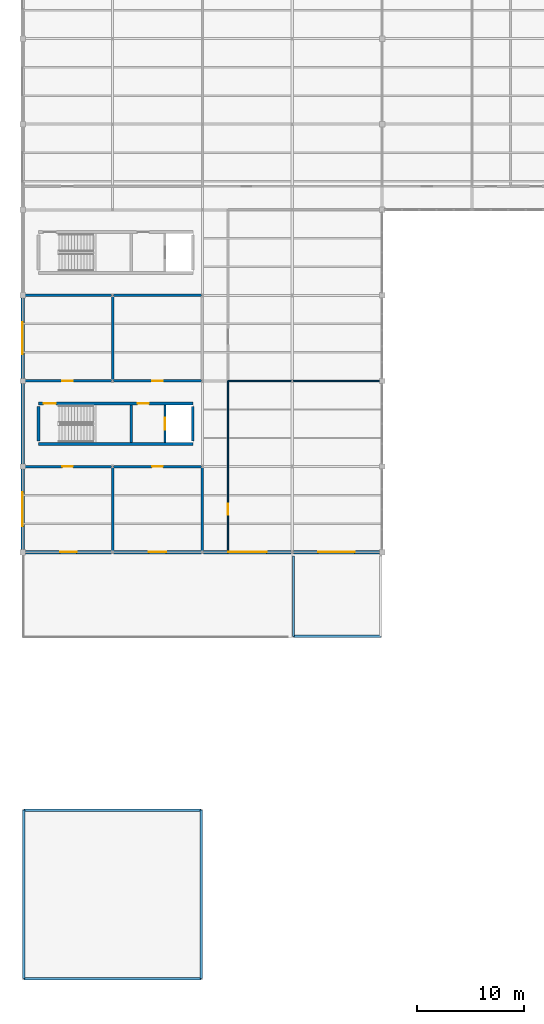
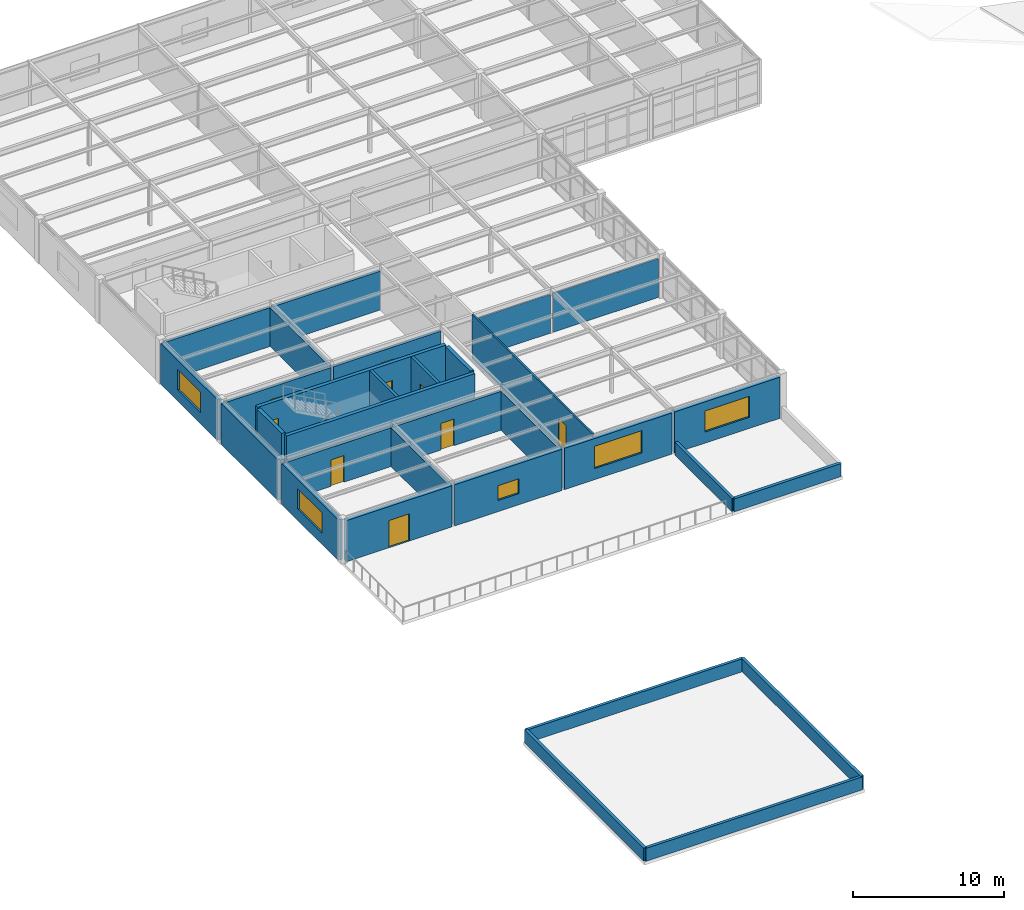
# One storey, part 23 of 32: 31 walls, 9 doors, 5 windows, 14 openings.
"""IFC4 building model written with IfcOpenShell, lengths in metres."""

from ifc_helpers import new_model, si_unit, direction, frame, frame_2d, origin, place, context, subcontext, project, spatial, rectangle, extrude, material, layer, layer_set, type_object, element, fill, save


model = new_model("IFC4")

# Units and contexts
model_context = context("Model", 3, precision=1e-05, world=origin(), true_north=direction((0.0, 1.0)))
body_context = subcontext(model_context, "Body", "Model", "MODEL_VIEW")
ifc_project = project(units=[si_unit("LENGTHUNIT", "METRE"), si_unit("AREAUNIT", "SQUARE_METRE"), si_unit("VOLUMEUNIT", "CUBIC_METRE"), si_unit("PLANEANGLEUNIT", "RADIAN"), si_unit("MASSUNIT", "GRAM", prefix="KILO")], contexts=[model_context])

# Site, building, storey
site_placement = place(None, origin())
site = spatial("IfcSite", under=ifc_project, at=site_placement, CompositionType="ELEMENT")
building_placement = place(site_placement, origin())
building = spatial("IfcBuilding", under=site, at=building_placement, Name="Kranzveld Transit Interchange", CompositionType="ELEMENT")
storey_placement = place(building_placement, frame((0.0, 0.0, 17.199951171875)))
storey = spatial("IfcBuildingStorey", under=building, at=storey_placement, Name="L04", CompositionType="ELEMENT", Elevation=17.199951171875)

# Wall
ifc_material_1 = material(Name="Concrete C40/50", Category="concrete")
ifc_layer_1 = layer(ifc_material_1, 0.27490234375)
ifc_layer_set_1 = layer_set([ifc_layer_1], Name="Concrete C40/50")
wall_type_1 = type_object("IfcWallType", Name="Core Upper Wall RC 275 C40/50", PredefinedType="SHEAR", material=ifc_layer_set_1)
wall_1_placement = place(storey_placement, frame((1.5, 66.090087890625, 0.0), z_axis=(0.0, 0.0, 1.0), x_axis=(1.0, 0.0, 0.0)))
element("IfcWall", 1, at=wall_1_placement, inside=storey, type_object=wall_type_1, Name="L04 Operations Core C1 Shear Wall S", PredefinedType="SHEAR", context=body_context, shape_type="SweptSolid", body=[
    extrude(rectangle(XDim=14.39990234375, YDim=0.27490234375, at=frame_2d((7.199951171875, 0.0))), origin(), (0.0, 0.0, 1.0), 3.590087890625),
])

# Wall, openings, doors
wall_2_placement = place(storey_placement, frame((1.5, 69.909912109375, 0.0), z_axis=(0.0, 0.0, 1.0), x_axis=(1.0, 0.0, 0.0)))
wall_2 = element("IfcWall", 2, at=wall_2_placement, inside=storey, type_object=wall_type_1, Name="L04 Operations Core C1 Shear Wall N", PredefinedType="SHEAR", context=body_context, shape_type="SweptSolid", body=[
    extrude(rectangle(XDim=14.39990234375, YDim=0.27490234375, at=frame_2d((7.199951171875, 0.0))), origin(), (0.0, 0.0, 1.0), 3.590087890625),
])
opening_1_placement = place(wall_2_placement, frame((0.449951171875, 0.0, 0.0), z_axis=(0.0, 0.0, 1.0), x_axis=(1.0, 0.0, 0.0)))
opening_1 = element("IfcOpeningElement", 3, at=opening_1_placement, cuts=wall_2, Name="Opening D-ST-C1-L04", PredefinedType="OPENING", context=body_context, shape_type="SweptSolid", body=[
    extrude(rectangle(XDim=1.14990234375, YDim=2.14990234375, at=frame_2d((0.574951171875, 1.074951171875))), frame((0.0, 0.1474609375, 0.0), z_axis=(0.0, -1.0, 0.0), x_axis=(1.0, 0.0, 0.0)), (0.0, 0.0, 1.0), 0.294921875),
])
opening_2_placement = place(wall_2_placement, frame((9.25, 0.0, 0.0), z_axis=(0.0, 0.0, 1.0), x_axis=(1.0, 0.0, 0.0)))
opening_2 = element("IfcOpeningElement", 4, at=opening_2_placement, cuts=wall_2, Name="Opening D-LB-C1-L04", PredefinedType="OPENING", context=body_context, shape_type="SweptSolid", body=[
    extrude(rectangle(XDim=1.050048828125, YDim=2.14990234375, at=frame_2d((0.52490234375, 1.074951171875))), frame((0.0, 0.1474609375, 0.0), z_axis=(0.0, -1.0, 0.0), x_axis=(1.0, 0.0, 0.0)), (0.0, 0.0, 1.0), 0.294921875),
])
ifc_material_2 = material(Name="Steel S355JR", Category="steel")
door_type_1 = type_object("IfcDoorType", Name="Lift Lobby Fire Door 1050x2150 FD120S", OperationType="NOTDEFINED", PredefinedType="DOOR", material=ifc_material_2)
door_1_placement = place(opening_2_placement, origin())
door_1 = element("IfcDoor", 5, at=door_1_placement, inside=storey, type_object=door_type_1, Name="L04 Operations Core C1 Lift Protected Lobby Door", OperationType="SINGLE_SWING_RIGHT", OverallHeight=2.14990234375, OverallWidth=1.050048828125, PredefinedType="DOOR", context=body_context, shape_type="SweptSolid", body=[
    extrude(rectangle(XDim=1.050048828125, YDim=2.14990234375, at=frame_2d((0.52490234375, 1.074951171875))), frame((0.0, 0.02490234375, 0.0), z_axis=(0.0, -1.0, 0.0), x_axis=(1.0, 0.0, 0.0)), (0.0, 0.0, 1.0), 0.050048828125),
])
fill(opening_2, door_1)
ifc_material_3 = material(Name="Steel S355JR", Category="steel")
door_type_2 = type_object("IfcDoorType", Name="Stair Core Fire Door 1150x2150 FD120S", OperationType="NOTDEFINED", PredefinedType="DOOR", material=ifc_material_3)
door_2_placement = place(opening_1_placement, origin())
door_2 = element("IfcDoor", 6, at=door_2_placement, inside=storey, type_object=door_type_2, Name="L04 ST-C1 Protected Stair Door", OperationType="SINGLE_SWING_RIGHT", OverallHeight=2.14990234375, OverallWidth=1.14990234375, PredefinedType="DOOR", context=body_context, shape_type="SweptSolid", body=[
    extrude(rectangle(XDim=1.14990234375, YDim=2.14990234375, at=frame_2d((0.574951171875, 1.074951171875))), frame((0.0, 0.02490234375, 0.0), z_axis=(0.0, -1.0, 0.0), x_axis=(1.0, 0.0, 0.0)), (0.0, 0.0, 1.0), 0.050048828125),
])
fill(opening_1, door_2)

# Walls
for number, where, z_axis, x_axis, name in (
    (7, (1.5, 66.364990234375, 0.0), (0.0, 0.0, 1.0), (0.0, 1.0, 0.0), "L04 Operations Core C1 Shear Wall W"),
    (8, (15.89990234375, 66.364990234375, 0.0), (0.0, 0.0, 1.0), (0.0, 1.0, 0.0), "L04 Operations Core C1 Shear Wall E"),
):
    element("IfcWall", number, at=place(storey_placement, frame(where, z_axis=z_axis, x_axis=x_axis)), inside=storey, type_object=wall_type_1, Name=name, PredefinedType="SHEAR", context=body_context, shape_type="SweptSolid", body=[
        extrude(rectangle(XDim=3.27001953125, YDim=0.27490234375, at=frame_2d((1.635009765625, 0.0))), origin(), (0.0, 0.0, 1.0), 3.590087890625),
    ])

# Wall, opening, door
ifc_material_4 = material(Name="Pretoria red-purple clinker clay face brick, 35 MPa", Category="masonry")
ifc_layer_2 = layer(ifc_material_4, 0.320068359375)
ifc_layer_set_2 = layer_set([ifc_layer_2], Name="Pretoria red-purple clinker clay face brick, 35 MPa")
wall_type_2 = type_object("IfcWallType", Name="Exterior Upper Wall Red Clinker 320", PredefinedType="SOLIDWALL", material=ifc_layer_set_2)
wall_3_placement = place(storey_placement, frame((0.25, 56.0, 0.0), z_axis=(0.0, 0.0, 1.0), x_axis=(1.0, 0.0, 0.0)))
wall_3 = element("IfcWall", 9, at=wall_3_placement, inside=storey, type_object=wall_type_2, Name="L04 Clinker Facade Wall 01/H-02/H", PredefinedType="SOLIDWALL", context=body_context, shape_type="SweptSolid", body=[
    extrude(rectangle(XDim=8.047119140625, YDim=0.320068359375, at=frame_2d((4.0234375, 0.0))), origin(), (0.0, 0.0, 1.0), 3.330078125),
])
opening_3_placement = place(wall_3_placement, frame((4.798583984375, 0.0, 0.0), z_axis=(0.0, 0.0, 1.0), x_axis=(-1.0, 0.0, 0.0)))
opening_3 = element("IfcOpeningElement", 10, at=opening_3_placement, cuts=wall_3, Name="Opening ED-L04-18", PredefinedType="OPENING", context=body_context, shape_type="SweptSolid", body=[
    extrude(rectangle(XDim=1.550048828125, YDim=2.199951171875, at=frame_2d((0.77490234375, 1.10009765625))), frame((0.0, 0.169921875, 0.0), z_axis=(0.0, -1.0, 0.0), x_axis=(1.0, 0.0, 0.0)), (0.0, 0.0, 1.0), 0.340087890625),
])
ifc_material_5 = material(Name="Bronze-anodised thermally broken aluminium", Category="aluminium")
door_type_3 = type_object("IfcDoorType", Name="Walkable Terrace Glazed Double Door 1550x2200", OperationType="NOTDEFINED", PredefinedType="DOOR", material=ifc_material_5)
door_3_placement = place(opening_3_placement, origin())
door_3 = element("IfcDoor", 11, at=door_3_placement, inside=storey, type_object=door_type_3, Name="L04 Terrace Door TERR_L04_V5S", OperationType="DOUBLE_DOOR_SINGLE_SWING", OverallHeight=2.199951171875, OverallWidth=1.550048828125, PredefinedType="DOOR", context=body_context, shape_type="SweptSolid", body=[
    extrude(rectangle(XDim=1.550048828125, YDim=2.199951171875, at=frame_2d((0.77490234375, 1.10009765625))), frame((0.0, 0.02490234375, 0.0), z_axis=(0.0, -1.0, 0.0), x_axis=(1.0, 0.0, 0.0)), (0.0, 0.0, 1.0), 0.050048828125),
])
fill(opening_3, door_3)

# Wall, opening, window
wall_4_placement = place(storey_placement, frame((8.5029296875, 56.0, 0.0), z_axis=(0.0, 0.0, 1.0), x_axis=(1.0, 0.0, 0.0)))
wall_4 = element("IfcWall", 12, at=wall_4_placement, inside=storey, type_object=wall_type_2, Name="L04 Clinker Facade Wall 02/H-03/H", PredefinedType="SOLIDWALL", context=body_context, shape_type="SweptSolid", body=[
    extrude(rectangle(XDim=8.194091796875, YDim=0.320068359375, at=frame_2d((4.09716796875, 0.0))), origin(), (0.0, 0.0, 1.0), 3.330078125),
])
opening_4_placement = place(wall_4_placement, frame((3.297119140625, 0.0, 0.89990234375), z_axis=(0.0, 0.0, 1.0), x_axis=(1.0, 0.0, 0.0)))
opening_4 = element("IfcOpeningElement", 13, at=opening_4_placement, cuts=wall_4, Name="Opening W-20", PredefinedType="OPENING", context=body_context, shape_type="SweptSolid", body=[
    extrude(rectangle(XDim=1.60009765625, YDim=1.199951171875, at=frame_2d((0.800048828125, 0.60009765625))), frame((0.0, 0.169921875, 0.0), z_axis=(0.0, -1.0, 0.0), x_axis=(1.0, 0.0, 0.0)), (0.0, 0.0, 1.0), 0.340087890625),
])
ifc_material_6 = material(Name="Solar-control double glazing", Category="glass")
window_type_1 = type_object("IfcWindowType", Name="Window Technical Glazed 1600x1200", PartitioningType="DOUBLE_PANEL_VERTICAL", PredefinedType="WINDOW", material=ifc_material_6)
window_1_placement = place(opening_4_placement, origin())
window_1 = element("IfcWindow", 14, at=window_1_placement, inside=storey, type_object=window_type_1, Name="L04 Facade Window 02/H", OverallHeight=1.199951171875, OverallWidth=1.60009765625, PartitioningType="DOUBLE_PANEL_VERTICAL", PredefinedType="WINDOW", context=body_context, shape_type="SweptSolid", body=[
    extrude(rectangle(XDim=1.60009765625, YDim=1.199951171875, at=frame_2d((0.800048828125, 0.60009765625))), frame((0.0, 0.030029296875, 0.0), z_axis=(0.0, -1.0, 0.0), x_axis=(1.0, 0.0, 0.0)), (0.0, 0.0, 1.0), 0.06005859375),
])
fill(opening_4, window_1)

wall_5_placement = place(storey_placement, frame((16.90283203125, 56.0, 0.0), z_axis=(0.0, 0.0, 1.0), x_axis=(1.0, 0.0, 0.0)))
wall_5 = element("IfcWall", 15, at=wall_5_placement, inside=storey, type_object=wall_type_2, Name="L04 Clinker Facade Wall 03/H-04/H", PredefinedType="SOLIDWALL", context=body_context, shape_type="SweptSolid", body=[
    extrude(rectangle(XDim=8.1943359375, YDim=0.320068359375, at=frame_2d((4.09716796875, 0.0))), origin(), (0.0, 0.0, 1.0), 3.330078125),
])
opening_5_placement = place(wall_5_placement, frame((2.297119140625, 0.0, 0.89990234375), z_axis=(0.0, 0.0, 1.0), x_axis=(1.0, 0.0, 0.0)))
opening_5 = element("IfcOpeningElement", 16, at=opening_5_placement, cuts=wall_5, Name="Opening W-01", PredefinedType="OPENING", context=body_context, shape_type="SweptSolid", body=[
    extrude(rectangle(XDim=3.60009765625, YDim=1.800048828125, at=frame_2d((1.800048828125, 0.89990234375))), frame((0.0, 0.169921875, 0.0), z_axis=(0.0, -1.0, 0.0), x_axis=(1.0, 0.0, 0.0)), (0.0, 0.0, 1.0), 0.340087890625),
])
ifc_material_7 = material(Name="Solar-control double glazing", Category="glass")
window_type_2 = type_object("IfcWindowType", Name="Window Ribbon Triple 3600x1800", PartitioningType="TRIPLE_PANEL_VERTICAL", PredefinedType="WINDOW", material=ifc_material_7)
window_2_placement = place(opening_5_placement, origin())
window_2 = element("IfcWindow", 17, at=window_2_placement, inside=storey, type_object=window_type_2, Name="L04 Facade Window 03/H", OverallHeight=1.800048828125, OverallWidth=3.60009765625, PartitioningType="TRIPLE_PANEL_VERTICAL", PredefinedType="WINDOW", context=body_context, shape_type="SweptSolid", body=[
    extrude(rectangle(XDim=3.60009765625, YDim=1.800048828125, at=frame_2d((1.800048828125, 0.89990234375))), frame((0.0, 0.030029296875, 0.0), z_axis=(0.0, -1.0, 0.0), x_axis=(1.0, 0.0, 0.0)), (0.0, 0.0, 1.0), 0.06005859375),
])
fill(opening_5, window_2)

wall_6_placement = place(storey_placement, frame((25.302978515625, 56.0, 0.0), z_axis=(0.0, 0.0, 1.0), x_axis=(1.0, 0.0, 0.0)))
wall_6 = element("IfcWall", 18, at=wall_6_placement, inside=storey, type_object=wall_type_2, Name="L04 Clinker Facade Wall 04/H-05/H", PredefinedType="SOLIDWALL", context=body_context, shape_type="SweptSolid", body=[
    extrude(rectangle(XDim=8.047119140625, YDim=0.320068359375, at=frame_2d((4.0234375, 0.0))), origin(), (0.0, 0.0, 1.0), 3.330078125),
])
opening_6_placement = place(wall_6_placement, frame((2.323486328125, 0.0, 0.89990234375), z_axis=(0.0, 0.0, 1.0), x_axis=(1.0, 0.0, 0.0)))
opening_6 = element("IfcOpeningElement", 19, at=opening_6_placement, cuts=wall_6, Name="Opening W-02", PredefinedType="OPENING", context=body_context, shape_type="SweptSolid", body=[
    extrude(rectangle(XDim=3.39990234375, YDim=1.699951171875, at=frame_2d((1.699951171875, 0.85009765625))), frame((0.0, 0.169921875, 0.0), z_axis=(0.0, -1.0, 0.0), x_axis=(1.0, 0.0, 0.0)), (0.0, 0.0, 1.0), 0.340087890625),
])
ifc_material_8 = material(Name="Solar-control double glazing", Category="glass")
window_type_3 = type_object("IfcWindowType", Name="Window Ribbon Triple 3400x1700", PartitioningType="TRIPLE_PANEL_VERTICAL", PredefinedType="WINDOW", material=ifc_material_8)
window_3_placement = place(opening_6_placement, origin())
window_3 = element("IfcWindow", 20, at=window_3_placement, inside=storey, type_object=window_type_3, Name="L04 Facade Window 04/H", OverallHeight=1.699951171875, OverallWidth=3.39990234375, PartitioningType="TRIPLE_PANEL_VERTICAL", PredefinedType="WINDOW", context=body_context, shape_type="SweptSolid", body=[
    extrude(rectangle(XDim=3.39990234375, YDim=1.699951171875, at=frame_2d((1.699951171875, 0.85009765625))), frame((0.0, 0.030029296875, 0.0), z_axis=(0.0, -1.0, 0.0), x_axis=(1.0, 0.0, 0.0)), (0.0, 0.0, 1.0), 0.06005859375),
])
fill(opening_6, window_3)

wall_7_placement = place(storey_placement, frame((0.0, 56.25, 0.0), z_axis=(0.0, 0.0, 1.0), x_axis=(0.0, 1.0, 0.0)))
wall_7 = element("IfcWall", 21, at=wall_7_placement, inside=storey, type_object=wall_type_2, Name="L04 Clinker Facade Wall 01/H-01/J", PredefinedType="SOLIDWALL", context=body_context, shape_type="SweptSolid", body=[
    extrude(rectangle(XDim=7.5, YDim=0.320068359375, at=frame_2d((3.75, 0.0))), origin(), (0.0, 0.0, 1.0), 3.2900390625),
])
opening_7_placement = place(wall_7_placement, frame((2.14990234375, 0.0, 0.89990234375), z_axis=(0.0, 0.0, 1.0), x_axis=(1.0, 0.0, 0.0)))
opening_7 = element("IfcOpeningElement", 22, at=opening_7_placement, cuts=wall_7, Name="Opening W-03", PredefinedType="OPENING", context=body_context, shape_type="SweptSolid", body=[
    extrude(rectangle(XDim=3.199951171875, YDim=1.64990234375, at=frame_2d((1.60009765625, 0.824951171875))), frame((0.0, 0.169921875, 0.0), z_axis=(0.0, -1.0, 0.0), x_axis=(1.0, 0.0, 0.0)), (0.0, 0.0, 1.0), 0.340087890625),
])
ifc_material_9 = material(Name="Solar-control double glazing", Category="glass")
window_type_4 = type_object("IfcWindowType", Name="Window Ribbon Triple 3200x1650", PartitioningType="TRIPLE_PANEL_VERTICAL", PredefinedType="WINDOW", material=ifc_material_9)
window_4_placement = place(opening_7_placement, origin())
window_4 = element("IfcWindow", 23, at=window_4_placement, inside=storey, type_object=window_type_4, Name="L04 Facade Window 01/H", OverallHeight=1.64990234375, OverallWidth=3.199951171875, PartitioningType="TRIPLE_PANEL_VERTICAL", PredefinedType="WINDOW", context=body_context, shape_type="SweptSolid", body=[
    extrude(rectangle(XDim=3.199951171875, YDim=1.64990234375, at=frame_2d((1.60009765625, 0.824951171875))), frame((0.0, 0.030029296875, 0.0), z_axis=(0.0, -1.0, 0.0), x_axis=(1.0, 0.0, 0.0)), (0.0, 0.0, 1.0), 0.06005859375),
])
fill(opening_7, window_4)

# Wall
wall_8_placement = place(storey_placement, frame((0.0, 64.25, 0.0), z_axis=(0.0, 0.0, 1.0), x_axis=(0.0, 1.0, 0.0)))
element("IfcWall", 24, at=wall_8_placement, inside=storey, type_object=wall_type_2, Name="L04 Clinker Facade Wall 01/J-01/K", PredefinedType="SOLIDWALL", context=body_context, shape_type="SweptSolid", body=[
    extrude(rectangle(XDim=7.5, YDim=0.320068359375, at=frame_2d((3.75, 0.0))), origin(), (0.0, 0.0, 1.0), 3.2900390625),
])

# Wall, opening, window
wall_9_placement = place(storey_placement, frame((0.0, 72.25, 0.0), z_axis=(0.0, 0.0, 1.0), x_axis=(0.0, 1.0, 0.0)))
wall_9 = element("IfcWall", 25, at=wall_9_placement, inside=storey, type_object=wall_type_2, Name="L04 Clinker Facade Wall 01/K-01/L", PredefinedType="SOLIDWALL", context=body_context, shape_type="SweptSolid", body=[
    extrude(rectangle(XDim=7.5, YDim=0.320068359375, at=frame_2d((3.75, 0.0))), origin(), (0.0, 0.0, 1.0), 3.2900390625),
])
opening_8_placement = place(wall_9_placement, frame((2.25, 0.0, 0.89990234375), z_axis=(0.0, 0.0, 1.0), x_axis=(1.0, 0.0, 0.0)))
opening_8 = element("IfcOpeningElement", 26, at=opening_8_placement, cuts=wall_9, Name="Opening W-04", PredefinedType="OPENING", context=body_context, shape_type="SweptSolid", body=[
    extrude(rectangle(XDim=3.0, YDim=1.64990234375, at=frame_2d((1.5, 0.824951171875))), frame((0.0, 0.169921875, 0.0), z_axis=(0.0, -1.0, 0.0), x_axis=(1.0, 0.0, 0.0)), (0.0, 0.0, 1.0), 0.340087890625),
])
ifc_material_10 = material(Name="Solar-control double glazing", Category="glass")
window_type_5 = type_object("IfcWindowType", Name="Window Ribbon Double 3000x1650", PartitioningType="DOUBLE_PANEL_VERTICAL", PredefinedType="WINDOW", material=ifc_material_10)
window_5_placement = place(opening_8_placement, origin())
window_5 = element("IfcWindow", 27, at=window_5_placement, inside=storey, type_object=window_type_5, Name="L04 Facade Window 01/K", OverallHeight=1.64990234375, OverallWidth=3.0, PartitioningType="DOUBLE_PANEL_VERTICAL", PredefinedType="WINDOW", context=body_context, shape_type="SweptSolid", body=[
    extrude(rectangle(XDim=3.0, YDim=1.64990234375, at=frame_2d((1.5, 0.824951171875))), frame((0.0, 0.030029296875, 0.0), z_axis=(0.0, -1.0, 0.0), x_axis=(1.0, 0.0, 0.0)), (0.0, 0.0, 1.0), 0.06005859375),
])
fill(opening_8, window_5)

# Wall, opening, door
ifc_material_11 = material(Name="Clay masonry unit wall, 20 MPa", Category="masonry")
ifc_layer_3 = layer(ifc_material_11, 0.22998046875)
ifc_layer_set_3 = layer_set([ifc_layer_3], Name="Clay masonry unit wall, 20 MPa")
wall_type_3 = type_object("IfcWallType", Name="Fire Compartment Wall Masonry 230 EI120", PredefinedType="PARTITIONING", material=ifc_layer_set_3)
wall_10_placement = place(storey_placement, frame((0.239990234375, 64.0, 0.0), z_axis=(0.0, 0.0, 1.0), x_axis=(1.0, 0.0, 0.0)))
wall_10 = element("IfcWall", 28, at=wall_10_placement, inside=storey, type_object=wall_type_3, Name="L04 Partition IW-L04-L04V5P-FRT-403-0", PredefinedType="PARTITIONING", context=body_context, shape_type="SweptSolid", body=[
    extrude(rectangle(XDim=8.067138671875, YDim=0.22998046875, at=frame_2d((4.03369140625, 0.0))), origin(), (0.0, 0.0, 1.0), 3.13671875),
])
opening_9_placement = place(wall_10_placement, frame((4.4599609375, 0.0, 0.0), z_axis=(0.0, 0.0, 1.0), x_axis=(-1.0, 0.0, 0.0)))
opening_9 = element("IfcOpeningElement", 29, at=opening_9_placement, cuts=wall_10, Name="Opening D-403", PredefinedType="OPENING", context=body_context, shape_type="SweptSolid", body=[
    extrude(rectangle(XDim=1.0, YDim=2.14990234375, at=frame_2d((0.5, 1.074951171875))), frame((0.0, 0.125, 0.0), z_axis=(0.0, -1.0, 0.0), x_axis=(1.0, 0.0, 0.0)), (0.0, 0.0, 1.0), 0.25),
])
ifc_material_12 = material(Name="Steel S355JR", Category="steel")
door_type_4 = type_object("IfcDoorType", Name="Fire Door Single 1000x2150 FD120S", OperationType="NOTDEFINED", PredefinedType="DOOR", material=ifc_material_12)
door_4_placement = place(opening_9_placement, origin())
door_4 = element("IfcDoor", 30, at=door_4_placement, inside=storey, type_object=door_type_4, Name="L04 Interior Door D-403", OperationType="SINGLE_SWING_LEFT", OverallHeight=2.14990234375, OverallWidth=1.0, PredefinedType="DOOR", context=body_context, shape_type="SweptSolid", body=[
    extrude(rectangle(XDim=1.0, YDim=2.14990234375, at=frame_2d((0.5, 1.074951171875))), frame((0.0, 0.02490234375, 0.0), z_axis=(0.0, -1.0, 0.0), x_axis=(1.0, 0.0, 0.0)), (0.0, 0.0, 1.0), 0.050048828125),
])
fill(opening_9, door_4)

wall_11_placement = place(storey_placement, frame((8.492919921875, 64.0, 0.0), z_axis=(0.0, 0.0, 1.0), x_axis=(1.0, 0.0, 0.0)))
wall_11 = element("IfcWall", 31, at=wall_11_placement, inside=storey, type_object=wall_type_3, Name="L04 Partition IW-L04-L04V5P-FRT-404-0", PredefinedType="PARTITIONING", context=body_context, shape_type="SweptSolid", body=[
    extrude(rectangle(XDim=8.214111328125, YDim=0.22998046875, at=frame_2d((4.10693359375, 0.0))), origin(), (0.0, 0.0, 1.0), 3.13671875),
])
opening_10_placement = place(wall_11_placement, frame((4.607177734375, 0.0, 0.0), z_axis=(0.0, 0.0, 1.0), x_axis=(-1.0, 0.0, 0.0)))
opening_10 = element("IfcOpeningElement", 32, at=opening_10_placement, cuts=wall_11, Name="Opening D-404", PredefinedType="OPENING", context=body_context, shape_type="SweptSolid", body=[
    extrude(rectangle(XDim=1.0, YDim=2.14990234375, at=frame_2d((0.5, 1.074951171875))), frame((0.0, 0.125, 0.0), z_axis=(0.0, -1.0, 0.0), x_axis=(1.0, 0.0, 0.0)), (0.0, 0.0, 1.0), 0.25),
])
door_5_placement = place(opening_10_placement, origin())
door_5 = element("IfcDoor", 33, at=door_5_placement, inside=storey, type_object=door_type_4, Name="L04 Interior Door D-404", OperationType="SINGLE_SWING_RIGHT", OverallHeight=2.14990234375, OverallWidth=1.0, PredefinedType="DOOR", context=body_context, shape_type="SweptSolid", body=[
    extrude(rectangle(XDim=1.0, YDim=2.14990234375, at=frame_2d((0.5, 1.074951171875))), frame((0.0, 0.02490234375, 0.0), z_axis=(0.0, -1.0, 0.0), x_axis=(1.0, 0.0, 0.0)), (0.0, 0.0, 1.0), 0.050048828125),
])
fill(opening_10, door_5)

wall_12_placement = place(storey_placement, frame((0.239990234375, 72.0, 0.0), z_axis=(0.0, 0.0, 1.0), x_axis=(1.0, 0.0, 0.0)))
wall_12 = element("IfcWall", 34, at=wall_12_placement, inside=storey, type_object=wall_type_3, Name="L04 Partition IW-L04-L04V5M-FRT-405-0", PredefinedType="PARTITIONING", context=body_context, shape_type="SweptSolid", body=[
    extrude(rectangle(XDim=8.067138671875, YDim=0.22998046875, at=frame_2d((4.03369140625, 0.0))), origin(), (0.0, 0.0, 1.0), 3.13671875),
])
opening_11_placement = place(wall_12_placement, frame((3.4599609375, 0.0, 0.0), z_axis=(0.0, 0.0, 1.0), x_axis=(1.0, 0.0, 0.0)))
opening_11 = element("IfcOpeningElement", 35, at=opening_11_placement, cuts=wall_12, Name="Opening D-405", PredefinedType="OPENING", context=body_context, shape_type="SweptSolid", body=[
    extrude(rectangle(XDim=1.0, YDim=2.14990234375, at=frame_2d((0.5, 1.074951171875))), frame((0.0, 0.125, 0.0), z_axis=(0.0, -1.0, 0.0), x_axis=(1.0, 0.0, 0.0)), (0.0, 0.0, 1.0), 0.25),
])
door_6_placement = place(opening_11_placement, origin())
door_6 = element("IfcDoor", 36, at=door_6_placement, inside=storey, type_object=door_type_4, Name="L04 Interior Door D-405", OperationType="SINGLE_SWING_LEFT", OverallHeight=2.14990234375, OverallWidth=1.0, PredefinedType="DOOR", context=body_context, shape_type="SweptSolid", body=[
    extrude(rectangle(XDim=1.0, YDim=2.14990234375, at=frame_2d((0.5, 1.074951171875))), frame((0.0, 0.02490234375, 0.0), z_axis=(0.0, -1.0, 0.0), x_axis=(1.0, 0.0, 0.0)), (0.0, 0.0, 1.0), 0.050048828125),
])
fill(opening_11, door_6)

wall_13_placement = place(storey_placement, frame((8.492919921875, 72.0, 0.0), z_axis=(0.0, 0.0, 1.0), x_axis=(1.0, 0.0, 0.0)))
wall_13 = element("IfcWall", 37, at=wall_13_placement, inside=storey, type_object=wall_type_3, Name="L04 Partition IW-L04-L04V5M-FRT-406-0", PredefinedType="PARTITIONING", context=body_context, shape_type="SweptSolid", body=[
    extrude(rectangle(XDim=8.214111328125, YDim=0.22998046875, at=frame_2d((4.10693359375, 0.0))), origin(), (0.0, 0.0, 1.0), 3.13671875),
])
opening_12_placement = place(wall_13_placement, frame((3.607177734375, 0.0, 0.0), z_axis=(0.0, 0.0, 1.0), x_axis=(1.0, 0.0, 0.0)))
opening_12 = element("IfcOpeningElement", 38, at=opening_12_placement, cuts=wall_13, Name="Opening D-406", PredefinedType="OPENING", context=body_context, shape_type="SweptSolid", body=[
    extrude(rectangle(XDim=1.0, YDim=2.14990234375, at=frame_2d((0.5, 1.074951171875))), frame((0.0, 0.125, 0.0), z_axis=(0.0, -1.0, 0.0), x_axis=(1.0, 0.0, 0.0)), (0.0, 0.0, 1.0), 0.25),
])
door_7_placement = place(opening_12_placement, origin())
door_7 = element("IfcDoor", 39, at=door_7_placement, inside=storey, type_object=door_type_4, Name="L04 Interior Door D-406", OperationType="SINGLE_SWING_RIGHT", OverallHeight=2.14990234375, OverallWidth=1.0, PredefinedType="DOOR", context=body_context, shape_type="SweptSolid", body=[
    extrude(rectangle(XDim=1.0, YDim=2.14990234375, at=frame_2d((0.5, 1.074951171875))), frame((0.0, 0.02490234375, 0.0), z_axis=(0.0, -1.0, 0.0), x_axis=(1.0, 0.0, 0.0)), (0.0, 0.0, 1.0), 0.050048828125),
])
fill(opening_12, door_7)

# Walls
for number, where, z_axis, x_axis, name in (
    (40, (8.39990234375, 56.0947265625, 0.0), (0.0, 0.0, 1.0), (0.0, 1.0, 0.0), "L04 Partition IW-L04-L04V5P-E-403-0"),
    (41, (16.800048828125, 56.0947265625, 0.0), (0.0, 0.0, 1.0), (0.0, 1.0, 0.0), "L04 Partition IW-L04-L04V5P-E-404-0"),
):
    element("IfcWall", number, at=place(storey_placement, frame(where, z_axis=z_axis, x_axis=x_axis)), inside=storey, type_object=wall_type_3, Name=name, PredefinedType="PARTITIONING", context=body_context, shape_type="SweptSolid", body=[
        extrude(rectangle(XDim=7.810546875, YDim=0.22998046875, at=frame_2d((3.9052734375, 0.0))), origin(), (0.0, 0.0, 1.0), 3.13671875),
    ])
wall_14_placement = place(storey_placement, frame((0.239990234375, 80.0, 0.0), z_axis=(0.0, 0.0, 1.0), x_axis=(1.0, 0.0, 0.0)))
element("IfcWall", 42, at=wall_14_placement, inside=storey, type_object=wall_type_3, Name="L04 Partition IW-L04-L04V5M-BCK-405-0", PredefinedType="PARTITIONING", context=body_context, shape_type="SweptSolid", body=[
    extrude(rectangle(XDim=8.067138671875, YDim=0.22998046875, at=frame_2d((4.03369140625, 0.0))), origin(), (0.0, 0.0, 1.0), 3.13671875),
])
wall_15_placement = place(storey_placement, frame((8.39990234375, 72.0947265625, 0.0), z_axis=(0.0, 0.0, 1.0), x_axis=(0.0, 1.0, 0.0)))
element("IfcWall", 43, at=wall_15_placement, inside=storey, type_object=wall_type_3, Name="L04 Partition IW-L04-L04V5M-E-405-0", PredefinedType="PARTITIONING", context=body_context, shape_type="SweptSolid", body=[
    extrude(rectangle(XDim=7.810546875, YDim=0.22998046875, at=frame_2d((3.9052734375, 0.0))), origin(), (0.0, 0.0, 1.0), 3.13671875),
])
wall_16_placement = place(storey_placement, frame((8.492919921875, 80.0, 0.0), z_axis=(0.0, 0.0, 1.0), x_axis=(1.0, 0.0, 0.0)))
element("IfcWall", 44, at=wall_16_placement, inside=storey, type_object=wall_type_3, Name="L04 Partition IW-L04-L04V5M-BCK-406-0", PredefinedType="PARTITIONING", context=body_context, shape_type="SweptSolid", body=[
    extrude(rectangle(XDim=8.214111328125, YDim=0.22998046875, at=frame_2d((4.10693359375, 0.0))), origin(), (0.0, 0.0, 1.0), 3.13671875),
])

# Wall, opening, door
ifc_material_13 = material(Name="Clay masonry unit wall, 20 MPa", Category="masonry")
ifc_layer_4 = layer(ifc_material_13, 0.125)
ifc_layer_set_4 = layer_set([ifc_layer_4], Name="Clay masonry unit wall, 20 MPa")
wall_type_4 = type_object("IfcWallType", Name="Internal Blockwork Partition 125", PredefinedType="PARTITIONING", material=ifc_layer_set_4)
wall_17_placement = place(storey_placement, frame((19.199951171875, 56.0400390625, 0.0), z_axis=(0.0, 0.0, 1.0), x_axis=(0.0, 1.0, 0.0)))
wall_17 = element("IfcWall", 45, at=wall_17_placement, inside=storey, type_object=wall_type_4, Name="L04 Partition IW-L04-L04V5E-FRT-412-0", PredefinedType="PARTITIONING", context=body_context, shape_type="SweptSolid", body=[
    extrude(rectangle(XDim=15.9599609375, YDim=0.125, at=frame_2d((7.97998046875, 0.0))), origin(), (0.0, 0.0, 1.0), 3.590087890625),
])
opening_13_placement = place(wall_17_placement, frame((4.47998046875, 0.0, 0.0), z_axis=(0.0, 0.0, 1.0), x_axis=(-1.0, 0.0, 0.0)))
opening_13 = element("IfcOpeningElement", 46, at=opening_13_placement, cuts=wall_17, Name="Opening D-412", PredefinedType="OPENING", context=body_context, shape_type="SweptSolid", body=[
    extrude(rectangle(XDim=1.02001953125, YDim=2.159912109375, at=frame_2d((0.510009765625, 1.080078125))), frame((0.0, 0.072509765625, 0.0), z_axis=(0.0, -1.0, 0.0), x_axis=(1.0, 0.0, 0.0)), (0.0, 0.0, 1.0), 0.14501953125),
])
ifc_material_14 = material(Name="Bronze-anodised thermally broken aluminium", Category="aluminium")
door_type_5 = type_object("IfcDoorType", Name="Studio Wide Door 1020x2160", OperationType="NOTDEFINED", PredefinedType="DOOR", material=ifc_material_14)
door_8_placement = place(opening_13_placement, origin())
door_8 = element("IfcDoor", 47, at=door_8_placement, inside=storey, type_object=door_type_5, Name="L04 Interior Door D-412", OperationType="SINGLE_SWING_LEFT", OverallHeight=2.159912109375, OverallWidth=1.02001953125, PredefinedType="DOOR", context=body_context, shape_type="SweptSolid", body=[
    extrude(rectangle(XDim=1.02001953125, YDim=2.159912109375, at=frame_2d((0.510009765625, 1.080078125))), frame((0.0, 0.02490234375, 0.0), z_axis=(0.0, -1.0, 0.0), x_axis=(1.0, 0.0, 0.0)), (0.0, 0.0, 1.0), 0.050048828125),
])
fill(opening_13, door_8)

# Walls
wall_18_placement = place(storey_placement, frame((19.199951171875, 72.0, 0.0), z_axis=(0.0, 0.0, 1.0), x_axis=(1.0, 0.0, 0.0)))
element("IfcWall", 48, at=wall_18_placement, inside=storey, type_object=wall_type_4, Name="L04 Partition IW-L04-L04V5E-N-412-0", PredefinedType="PARTITIONING", context=body_context, shape_type="SweptSolid", body=[
    extrude(rectangle(XDim=5.9072265625, YDim=0.125, at=frame_2d((2.95361328125, 0.0))), origin(), (0.0, 0.0, 1.0), 3.13671875),
])
wall_19_placement = place(storey_placement, frame((25.29296875, 72.0, 0.0), z_axis=(0.0, 0.0, 1.0), x_axis=(1.0, 0.0, 0.0)))
element("IfcWall", 49, at=wall_19_placement, inside=storey, type_object=wall_type_4, Name="L04 Partition IW-L04-L04V5E-N-412-1", PredefinedType="PARTITIONING", context=body_context, shape_type="SweptSolid", body=[
    extrude(rectangle(XDim=8.067138671875, YDim=0.125, at=frame_2d((4.03369140625, 0.0))), origin(), (0.0, 0.0, 1.0), 3.13671875),
])
ifc_material_15 = material(Name="Concrete C40/50", Category="concrete")
ifc_layer_5 = layer(ifc_material_15, 0.199951171875)
ifc_layer_set_5 = layer_set([ifc_layer_5], Name="Concrete C40/50")
wall_type_5 = type_object("IfcWallType", Name="Lift Shaft Enclosure Wall RC 200 EI120", PredefinedType="SHEAR", material=ifc_layer_set_5)
wall_20_placement = place(storey_placement, frame((10.14990234375, 66.2275390625, 0.0), z_axis=(0.0, 0.0, 1.0), x_axis=(0.0, 1.0, 0.0)))
element("IfcWall", 50, at=wall_20_placement, inside=storey, type_object=wall_type_5, Name="L04 Operations Core C1 Stair-Lobby Dividing Wall", PredefinedType="SHEAR", context=body_context, shape_type="SweptSolid", body=[
    extrude(rectangle(XDim=3.544921875, YDim=0.199951171875, at=frame_2d((1.7724609375, 0.0))), origin(), (0.0, 0.0, 1.0), 3.590087890625),
])

# Wall, opening, door
wall_21_placement = place(storey_placement, frame((13.300048828125, 66.2275390625, 0.0), z_axis=(0.0, 0.0, 1.0), x_axis=(0.0, 1.0, 0.0)))
wall_21 = element("IfcWall", 51, at=wall_21_placement, inside=storey, type_object=wall_type_5, Name="L04 LF-C1 Shaft Front Wall", PredefinedType="SHEAR", context=body_context, shape_type="SweptSolid", body=[
    extrude(rectangle(XDim=3.544921875, YDim=0.199951171875, at=frame_2d((1.7724609375, 0.0))), origin(), (0.0, 0.0, 1.0), 3.590087890625),
])
opening_14_placement = place(wall_21_placement, frame((1.222412109375, 0.0, 0.0), z_axis=(0.0, 0.0, 1.0), x_axis=(1.0, 0.0, 0.0)))
opening_14 = element("IfcOpeningElement", 52, at=opening_14_placement, cuts=wall_21, Name="Opening LD-LF-C1-L04", PredefinedType="OPENING", context=body_context, shape_type="SweptSolid", body=[
    extrude(rectangle(XDim=1.10009765625, YDim=2.14990234375, at=frame_2d((0.550048828125, 1.074951171875))), frame((0.0, 0.10986328125, 0.0), z_axis=(0.0, -1.0, 0.0), x_axis=(1.0, 0.0, 0.0)), (0.0, 0.0, 1.0), 0.219970703125),
])
ifc_material_16 = material(Name="Steel S355JR", Category="steel")
door_type_6 = type_object("IfcDoorType", Name="Lift Landing Sliding Door 1100x2150 FD120S", OperationType="NOTDEFINED", PredefinedType="DOOR", material=ifc_material_16)
door_9_placement = place(opening_14_placement, origin())
door_9 = element("IfcDoor", 53, at=door_9_placement, inside=storey, type_object=door_type_6, Name="L04 LF-C1 Sliding Landing Door", OperationType="DOUBLE_DOOR_SLIDING", OverallHeight=2.14990234375, OverallWidth=1.10009765625, PredefinedType="DOOR", context=body_context, shape_type="SweptSolid", body=[
    extrude(rectangle(XDim=1.10009765625, YDim=2.14990234375, at=frame_2d((0.550048828125, 1.074951171875))), frame((0.0, 0.02490234375, 0.0), z_axis=(0.0, -1.0, 0.0), x_axis=(1.0, 0.0, 0.0)), (0.0, 0.0, 1.0), 0.050048828125),
])
fill(opening_14, door_9)

# Walls
ifc_material_17 = material(Name="Pretoria red-purple clinker clay face brick, 35 MPa", Category="masonry")
ifc_layer_6 = layer(ifc_material_17, 0.22998046875)
ifc_layer_set_6 = layer_set([ifc_layer_6], Name="Pretoria red-purple clinker clay face brick, 35 MPa")
wall_type_6 = type_object("IfcWallType", Name="Roof Parapet Wall Clinker Brick 230", PredefinedType="PARAPET", material=ifc_layer_set_6)
for number, where, z_axis, x_axis, name in (
    (54, (16.679931640625, 31.8798828125, 0.0), (0.0, 0.0, 1.0), (0.0, -1.0, 0.0), "L04 Roof Parapet 028"),
    (55, (0.1201171875, 16.1201171875, 0.0), (0.0, 0.0, 1.0), (0.0, 1.0, 0.0), "L04 Roof Parapet 030"),
):
    element("IfcWall", number, at=place(storey_placement, frame(where, z_axis=z_axis, x_axis=x_axis)), inside=storey, type_object=wall_type_6, Name=name, PredefinedType="PARAPET", context=body_context, shape_type="SweptSolid", body=[
        extrude(rectangle(XDim=15.759765625, YDim=0.22998046875, at=frame_2d((7.8798828125, 0.0))), origin(), (0.0, 0.0, 1.0), 1.050048828125),
    ])
wall_22_placement = place(storey_placement, frame((33.47998046875, 48.1201171875, 0.0), z_axis=(0.0, 0.0, 1.0), x_axis=(-1.0, 0.0, 0.0)))
element("IfcWall", 56, at=wall_22_placement, inside=storey, type_object=wall_type_6, Name="L04 Roof Parapet 032", PredefinedType="PARAPET", context=body_context, shape_type="SweptSolid", body=[
    extrude(rectangle(XDim=8.159912109375, YDim=0.22998046875, at=frame_2d((4.080078125, 0.0))), origin(), (0.0, 0.0, 1.0), 1.050048828125),
])
ifc_material_18 = material(Name="Dark Pretoria clinker clay plinth brick, 40 MPa", Category="masonry")
ifc_layer_7 = layer(ifc_material_18, 0.215087890625)
ifc_layer_set_7 = layer_set([ifc_layer_7], Name="Dark Pretoria clinker clay plinth brick, 40 MPa")
wall_type_7 = type_object("IfcWallType", Name="Terrace Parapet Upstand Brick 215", PredefinedType="PARAPET", material=ifc_layer_set_7)
for number, where, z_axis, x_axis, name in (
    (57, (16.679931640625, 16.1201171875, 0.0), (0.0, 0.0, 1.0), (-1.0, 0.0, 0.0), "L04 Roof Parapet 029"),
    (58, (0.1201171875, 31.8798828125, 0.0), (0.0, 0.0, 1.0), (1.0, 0.0, 0.0), "L04 Roof Parapet 031"),
):
    element("IfcWall", number, at=place(storey_placement, frame(where, z_axis=z_axis, x_axis=x_axis)), inside=storey, type_object=wall_type_7, Name=name, PredefinedType="PARAPET", context=body_context, shape_type="SweptSolid", body=[
        extrude(rectangle(XDim=16.559814453125, YDim=0.215087890625, at=frame_2d((8.27978515625, 0.0))), origin(), (0.0, 0.0, 1.0), 1.050048828125),
    ])
wall_23_placement = place(storey_placement, frame((25.320068359375, 48.1201171875, 0.0), z_axis=(0.0, 0.0, 1.0), x_axis=(0.0, 1.0, 0.0)))
element("IfcWall", 59, at=wall_23_placement, inside=storey, type_object=wall_type_7, Name="L04 Roof Parapet 033", PredefinedType="PARAPET", context=body_context, shape_type="SweptSolid", body=[
    extrude(rectangle(XDim=7.52978515625, YDim=0.215087890625, at=frame_2d((3.764892578125, 0.0))), origin(), (0.0, 0.0, 1.0), 1.050048828125),
])

save(model, "model.ifc")
